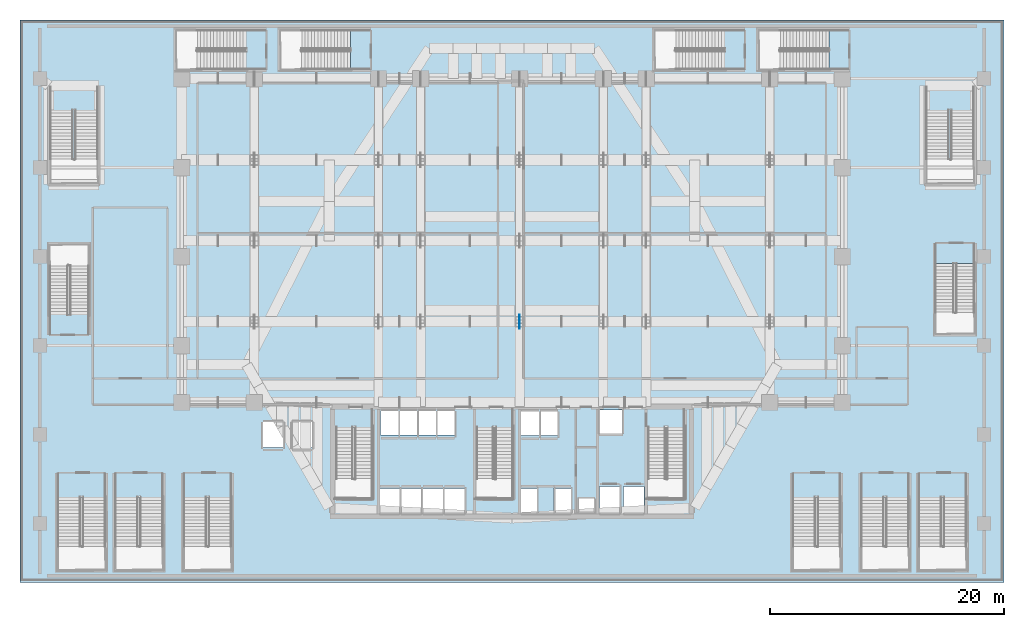
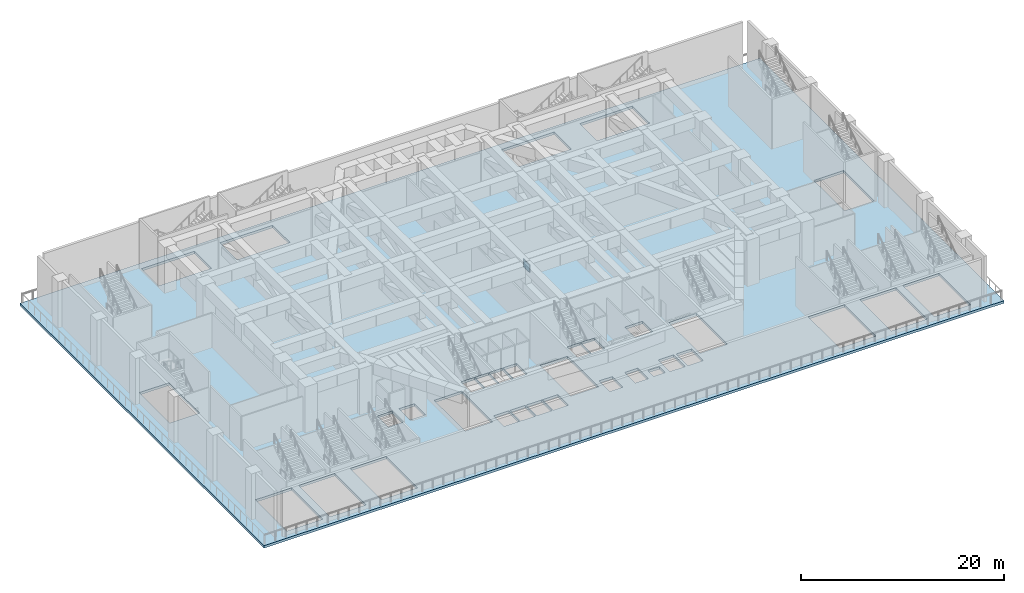
# One storey, part 6 of 27: 1 plate, 1 slab.
"""IFC4 building model written with IfcOpenShell, lengths in metres."""

import ifcopenshell
import ifcopenshell.guid

model = None  # the IFC model being written
_history = None  # IfcOwnerHistory: only IFC2X3 demands one
_inside = {}  # id of a spatial element -> (the spatial element, [elements in it])
_under = {}  # id of a project, library or spatial element -> (it, [spatial elements below it])
_declared = {}  # id of a project -> (the project, [libraries it declares])
_typed = {}  # id of a type object -> (the type object, [elements of that type])
_made_of = {}  # id of a material, layer set ... -> (it, [elements and type objects made of it])


def new_model(schema):
    """Start an empty IFC model of exactly this schema.

    Asked for "IFC4X3", IfcOpenShell would pick the latest addendum, in which some entities
    have other attributes; the version numbers below select the first issue.
    IFC2X3 requires an IfcOwnerHistory on every rooted entity: one is made here for all.
    """
    global model, _history
    if schema == "IFC4X3":
        model = ifcopenshell.file(schema_version=(4, 3, 0, 0))
    else:
        model = ifcopenshell.file(schema=schema)
    _inside.clear()
    _under.clear()
    _declared.clear()
    _typed.clear()
    _made_of.clear()
    _history = None
    if model.schema == "IFC2X3":
        org = make("IfcOrganization", Name="unknown")
        user = make(
            "IfcPersonAndOrganization",
            ThePerson=make("IfcPerson", FamilyName="unknown"),
            TheOrganization=org,
        )
        app = make(
            "IfcApplication",
            ApplicationDeveloper=org,
            Version="unknown",
            ApplicationFullName="unknown",
            ApplicationIdentifier="unknown",
        )
        _history = make(
            "IfcOwnerHistory",
            OwningUser=user,
            OwningApplication=app,
            ChangeAction="ADDED",
            CreationDate=0,
        )
    return model


def make(cls, **values):
    """One entity of the class cls with the attributes given. An attribute that is None is left unset."""
    return model.create_entity(
        cls, **{name: value for name, value in values.items() if value is not None}
    )


def rooted(cls, **values):
    """An entity with a GlobalId (a new one), such as an element, a storey or a relation."""
    return make(cls, GlobalId=ifcopenshell.guid.new(), OwnerHistory=_history, **values)


def si_unit(unit_type, name, prefix=None):
    """IfcSIUnit, for example si_unit("LENGTHUNIT", "METRE", prefix="MILLI")."""
    return make("IfcSIUnit", UnitType=unit_type, Prefix=prefix, Name=name)


def assignment(units):
    """IfcUnitAssignment: the units of a project."""
    return None if units is None else make("IfcUnitAssignment", Units=units)


def point(xyz):
    """IfcCartesianPoint."""
    return None if xyz is None else make("IfcCartesianPoint", Coordinates=xyz)


def direction(xyz):
    """IfcDirection."""
    return None if xyz is None else make("IfcDirection", DirectionRatios=xyz)


def frame(location, z_axis=None, x_axis=None):
    """IfcAxis2Placement3D, a coordinate frame: its origin and axes. An axis left out is left unset."""
    return make(
        "IfcAxis2Placement3D",
        Location=point(location),
        Axis=direction(z_axis),
        RefDirection=direction(x_axis),
    )


def frame_2d(location, x_axis=None):
    """IfcAxis2Placement2D, a coordinate frame in the plane: its origin and x axis."""
    return make(
        "IfcAxis2Placement2D", Location=point(location), RefDirection=direction(x_axis)
    )


def origin():
    """The frame at (0, 0, 0) with its axes left unset."""
    return frame((0.0, 0.0, 0.0))


def origin_2d():
    """The frame at (0, 0) in the plane with its x axis left unset."""
    return frame_2d((0.0, 0.0))


def place(relative_to, where):
    """IfcLocalPlacement: puts the frame where relative to a parent placement (None: the world)."""
    return make(
        "IfcLocalPlacement", PlacementRelTo=relative_to, RelativePlacement=where
    )


def context(
    kind, dimensions, precision=None, world=None, true_north=None, identifier=None
):
    """IfcGeometricRepresentationContext, for example the 3D "Model" context."""
    return make(
        "IfcGeometricRepresentationContext",
        ContextIdentifier=identifier,
        ContextType=kind,
        CoordinateSpaceDimension=dimensions,
        Precision=precision,
        WorldCoordinateSystem=world,
        TrueNorth=true_north,
    )


def subcontext(parent, identifier, kind, view, scale=None):
    """IfcGeometricRepresentationSubContext, for example "Body" below "Model"."""
    return make(
        "IfcGeometricRepresentationSubContext",
        ContextIdentifier=identifier,
        ContextType=kind,
        ParentContext=parent,
        TargetScale=scale,
        TargetView=view,
    )


def project(units=None, contexts=None):
    """IfcProject with its units and contexts."""
    return rooted(
        "IfcProject",
        Name="project",
        RepresentationContexts=contexts,
        UnitsInContext=assignment(units),
    )


def spatial(cls, under=None, at=None, **own):
    """A site, building, storey or space (cls), placed at a placement, below another one or the project."""
    s = rooted(cls, ObjectPlacement=at, **own)
    if under is not None:
        _under.setdefault(under.id(), (under, []))[1].append(s)
    return s


def polyline(points):
    """IfcPolyline through the points."""
    return make("IfcPolyline", Points=[point(p) for p in points])


def profile(cls, at=None, kind="AREA", **sizes):
    """A parametric profile (cls). Its sizes go by their IFC names, for example OverallWidth=200.0."""
    return make(cls, ProfileType=kind, Position=at, **sizes)


def rectangle(**sizes):
    """IfcRectangleProfileDef."""
    return profile("IfcRectangleProfileDef", **sizes)


def outline(outer, holes=None, kind="AREA"):
    """IfcArbitraryClosedProfileDef: a profile drawn as a closed curve; with holes, ...WithVoids."""
    if holes is None:
        return make("IfcArbitraryClosedProfileDef", ProfileType=kind, OuterCurve=outer)
    return make(
        "IfcArbitraryProfileDefWithVoids",
        ProfileType=kind,
        OuterCurve=outer,
        InnerCurves=holes,
    )


def extrude(swept, where, along, depth):
    """IfcExtrudedAreaSolid: the profile swept, set in the frame where, extruded along a direction by depth."""
    return make(
        "IfcExtrudedAreaSolid",
        SweptArea=swept,
        Position=where,
        ExtrudedDirection=direction(along),
        Depth=depth,
    )


def shape(context_of_items, identifier, shape_type, items):
    """IfcShapeRepresentation: the items that make up one representation, for example the "Body"."""
    return make(
        "IfcShapeRepresentation",
        ContextOfItems=context_of_items,
        RepresentationIdentifier=identifier,
        RepresentationType=shape_type,
        Items=items,
    )


def material(Name=None, Category=None):
    """IfcMaterial."""
    return make("IfcMaterial", Name=Name, Category=Category)


def layer(
    of_material, thickness, ventilated=None, Name=None, Category=None, Priority=None
):
    """IfcMaterialLayer: one layer of a wall or slab, of a material (None: an air gap)."""
    return make(
        "IfcMaterialLayer",
        Material=of_material,
        LayerThickness=thickness,
        IsVentilated=ventilated,
        Name=Name,
        Category=Category,
        Priority=Priority,
    )


def layer_set(layers, Name=None):
    """IfcMaterialLayerSet."""
    return make("IfcMaterialLayerSet", MaterialLayers=layers, LayerSetName=Name)


def made_of(thing, what):
    """Note that an element or type object is made of a material, layer set ...; save() writes the relation."""
    if what is not None:
        _made_of.setdefault(what.id(), (what, []))[1].append(thing)
    return thing


def type_object(cls, material=None, **own):
    """A type object (cls), such as IfcWallType, which elements share."""
    return made_of(rooted(cls, **own), material)


def element(
    cls,
    number,
    at=None,
    inside=None,
    cuts=None,
    type_object=None,
    material=None,
    context=None,
    identifier="Body",
    shape_type=None,
    held_by="IfcProductDefinitionShape",
    body=None,
    shapes=None,
    **own,
):
    """One element of the class cls, such as IfcWall. Its Tag is "e" and its number.

    at: its placement. inside: the storey or other place that contains it. cuts: it is an
    opening in that element (IfcRelVoidsElement). A single representation is given by context,
    identifier, shape_type and body (its items); several are given by shapes. held_by: the class
    of the entity that holds the representations. save() writes the other relations.
    """
    e = rooted(cls, Tag="e%d" % number, ObjectPlacement=at, **own)
    if body is not None:
        shapes = [shape(context, identifier, shape_type, body)]
    if shapes is not None:
        e.Representation = make(held_by, Representations=shapes)
    if inside is not None:
        _inside.setdefault(inside.id(), (inside, []))[1].append(e)
    if cuts is not None:
        rooted(
            "IfcRelVoidsElement", RelatingBuildingElement=cuts, RelatedOpeningElement=e
        )
    if type_object is not None:
        _typed.setdefault(type_object.id(), (type_object, []))[1].append(e)
    return made_of(e, material)


def aggregate(whole, parts):
    """IfcRelAggregates: a whole, such as a stair, and the parts it consists of."""
    return rooted("IfcRelAggregates", RelatingObject=whole, RelatedObjects=parts)


def save(model, path):
    """Write the relations noted so far, then the file.

    IfcRelAggregates (storeys below a building ...), IfcRelContainedInSpatialStructure (elements
    in a storey), IfcRelDefinesByType, IfcRelAssociatesMaterial and IfcRelDeclares: one each for
    every whole, place, type object, material and project.
    """
    for whole, parts in _under.values():
        aggregate(whole, parts)
    for where, things in _inside.values():
        rooted(
            "IfcRelContainedInSpatialStructure",
            RelatedElements=things,
            RelatingStructure=where,
        )
    for kind, things in _typed.values():
        rooted("IfcRelDefinesByType", RelatedObjects=things, RelatingType=kind)
    for what, things in _made_of.values():
        rooted("IfcRelAssociatesMaterial", RelatedObjects=things, RelatingMaterial=what)
    for by, libraries in _declared.values():
        rooted("IfcRelDeclares", RelatingContext=by, RelatedDefinitions=libraries)
    model.write(path)


model = new_model("IFC4")

# Units and contexts
model_context = context("Model", 3, precision=1e-05, world=origin(), true_north=direction((0.0, 1.0)))
body_context = subcontext(model_context, "Body", "Model", "MODEL_VIEW")
ifc_project = project(units=[si_unit("LENGTHUNIT", "METRE"), si_unit("AREAUNIT", "SQUARE_METRE"), si_unit("VOLUMEUNIT", "CUBIC_METRE"), si_unit("PLANEANGLEUNIT", "RADIAN"), si_unit("MASSUNIT", "GRAM", prefix="KILO")], contexts=[model_context])

# Site, building, storey
site_placement = place(None, origin())
site = spatial("IfcSite", under=ifc_project, at=site_placement, CompositionType="ELEMENT")
building_placement = place(site_placement, origin())
building = spatial("IfcBuilding", under=site, at=building_placement, Name="Ndaravel Arena Tower", CompositionType="ELEMENT")
storey_placement = place(building_placement, frame((0.0, 0.0, 24.0)))
storey = spatial("IfcBuildingStorey", under=building, at=storey_placement, Name="L04", CompositionType="ELEMENT", Elevation=24.0)

# Plate
ifc_material_1 = material(Name="Steel S460", Category="steel")
ifc_layer_1 = layer(ifc_material_1, 0.054931640625)
ifc_layer_set_1 = layer_set([ifc_layer_1], Name="Steel S460")
plate_type = type_object("IfcPlateType", Name="PLT-GUSSET-TN2", PredefinedType="USERDEFINED", material=ifc_layer_set_1)
plate_placement = place(storey_placement, frame((42.64990234375, 22.25, 4.75), z_axis=(0.0, 0.0, 1.0), x_axis=(1.0, 0.0, 0.0)))
element("IfcPlate", 1, at=plate_placement, inside=storey, type_object=plate_type, Name="Transfer Node Gusset TN-010", ObjectType="GUSSET_PLATE", PredefinedType="USERDEFINED", context=body_context, shape_type="SweptSolid", body=[
    extrude(rectangle(XDim=0.054931640625, YDim=1.199951171875, at=origin_2d()), origin(), (0.0, 0.0, 1.0), 0.89990234375),
])

# Slab
ifc_material_2 = material(Name="Concrete C40/50", Category="concrete")
ifc_layer_2 = layer(ifc_material_2, 0.300048828125)
ifc_layer_set_2 = layer_set([ifc_layer_2], Name="Concrete C40/50")
slab_type = type_object("IfcSlabType", Name="SLAB-POD-300", PredefinedType="FLOOR", material=ifc_layer_set_2)
slab_placement = place(storey_placement, frame((0.0, 0.0, -0.300048828125)))
element("IfcSlab", 2, at=slab_placement, inside=storey, type_object=slab_type, Name="L04 Structural Floor Slab", PredefinedType="FLOOR", context=body_context, shape_type="SweptSolid", body=[
    extrude(outline(polyline([(0.0, 0.0), (84.0, 0.0), (84.0, 48.0), (0.0, 48.0), (0.0, 0.0)]), holes=[polyline([(26.949951171875, 13.215087890625), (26.949951171875, 7.14990234375), (30.090087890625, 7.14990234375), (30.090087890625, 13.215087890625), (26.949951171875, 13.215087890625)]), polyline([(38.949951171875, 13.215087890625), (38.949951171875, 7.14990234375), (42.090087890625, 7.14990234375), (42.090087890625, 13.215087890625), (38.949951171875, 13.215087890625)]), polyline([(53.60009765625, 13.215087890625), (53.60009765625, 7.14990234375), (56.739990234375, 7.14990234375), (56.739990234375, 13.215087890625), (53.60009765625, 13.215087890625)]), polyline([(3.199951171875, 7.235107421875), (3.199951171875, 1.050048828125), (7.300048828125, 1.050048828125), (7.300048828125, 7.235107421875), (3.199951171875, 7.235107421875)]), polyline([(8.10009765625, 7.235107421875), (8.10009765625, 1.050048828125), (12.199951171875, 1.050048828125), (12.199951171875, 7.235107421875), (8.10009765625, 7.235107421875)]), polyline([(13.949951171875, 7.235107421875), (13.949951171875, 1.050048828125), (18.050048828125, 1.050048828125), (18.050048828125, 7.235107421875), (13.949951171875, 7.235107421875)]), polyline([(65.949951171875, 7.235107421875), (65.949951171875, 1.050048828125), (70.050048828125, 1.050048828125), (70.050048828125, 7.235107421875), (65.949951171875, 7.235107421875)]), polyline([(71.800048828125, 7.235107421875), (71.800048828125, 1.050048828125), (75.89990234375, 1.050048828125), (75.89990234375, 7.235107421875), (71.800048828125, 7.235107421875)]), polyline([(76.699951171875, 7.235107421875), (76.699951171875, 1.050048828125), (80.800048828125, 1.050048828125), (80.800048828125, 7.235107421875), (76.699951171875, 7.235107421875)]), polyline([(5.8798828125, 22.85498046875), (5.8798828125, 28.85009765625), (2.5, 28.85009765625), (2.5, 22.85498046875), (5.8798828125, 22.85498046875)]), polyline([(19.294921875, 47.139892578125), (13.300048828125, 47.139892578125), (13.300048828125, 43.760009765625), (19.294921875, 43.760009765625), (19.294921875, 47.139892578125)]), polyline([(28.195068359375, 47.139892578125), (22.199951171875, 47.139892578125), (22.199951171875, 43.760009765625), (28.195068359375, 43.760009765625), (28.195068359375, 47.139892578125)]), polyline([(60.14501953125, 47.139892578125), (54.14990234375, 47.139892578125), (54.14990234375, 43.760009765625), (60.14501953125, 43.760009765625), (60.14501953125, 47.139892578125)]), polyline([(69.044921875, 47.139892578125), (63.050048828125, 47.139892578125), (63.050048828125, 43.760009765625), (69.044921875, 43.760009765625), (69.044921875, 47.139892578125)]), polyline([(78.1201171875, 27.195068359375), (78.1201171875, 21.199951171875), (81.5, 21.199951171875), (81.5, 27.195068359375), (78.1201171875, 27.195068359375)]), polyline([(30.68505859375, 5.909912109375), (32.4150390625, 5.909912109375), (32.4150390625, 7.989990234375), (30.68505859375, 7.989990234375), (30.68505859375, 5.909912109375)]), polyline([(32.534912109375, 5.909912109375), (34.264892578125, 5.909912109375), (34.264892578125, 7.989990234375), (32.534912109375, 7.989990234375), (32.534912109375, 5.909912109375)]), polyline([(34.385009765625, 5.909912109375), (36.114990234375, 5.909912109375), (36.114990234375, 7.989990234375), (34.385009765625, 7.989990234375), (34.385009765625, 5.909912109375)]), polyline([(36.235107421875, 5.909912109375), (37.965087890625, 5.909912109375), (37.965087890625, 7.989990234375), (36.235107421875, 7.989990234375), (36.235107421875, 5.909912109375)]), polyline([(30.784912109375, 12.56005859375), (32.31494140625, 12.56005859375), (32.31494140625, 14.639892578125), (30.784912109375, 14.639892578125), (30.784912109375, 12.56005859375)]), polyline([(32.385009765625, 12.56005859375), (33.9150390625, 12.56005859375), (33.9150390625, 14.639892578125), (32.385009765625, 14.639892578125), (32.385009765625, 12.56005859375)]), polyline([(33.985107421875, 12.56005859375), (35.514892578125, 12.56005859375), (35.514892578125, 14.639892578125), (33.985107421875, 14.639892578125), (33.985107421875, 12.56005859375)]), polyline([(35.5849609375, 12.56005859375), (37.114990234375, 12.56005859375), (37.114990234375, 14.639892578125), (35.5849609375, 14.639892578125), (35.5849609375, 12.56005859375)]), polyline([(42.659912109375, 5.909912109375), (44.139892578125, 5.909912109375), (44.139892578125, 7.989990234375), (42.659912109375, 7.989990234375), (42.659912109375, 5.909912109375)]), polyline([(45.56005859375, 5.909912109375), (47.0400390625, 5.909912109375), (47.0400390625, 7.989990234375), (45.56005859375, 7.989990234375), (45.56005859375, 5.909912109375)]), polyline([(42.784912109375, 12.510009765625), (44.31494140625, 12.510009765625), (44.31494140625, 14.590087890625), (42.784912109375, 14.590087890625), (42.784912109375, 12.510009765625)]), polyline([(44.385009765625, 12.510009765625), (45.9150390625, 12.510009765625), (45.9150390625, 14.590087890625), (44.385009765625, 14.590087890625), (44.385009765625, 12.510009765625)]), polyline([(49.485107421875, 5.909912109375), (51.215087890625, 5.909912109375), (51.215087890625, 8.18994140625), (49.485107421875, 8.18994140625), (49.485107421875, 5.909912109375)]), polyline([(51.534912109375, 5.909912109375), (53.264892578125, 5.909912109375), (53.264892578125, 8.18994140625), (51.534912109375, 8.18994140625), (51.534912109375, 5.909912109375)]), polyline([(49.4599609375, 12.68505859375), (51.43994140625, 12.68505859375), (51.43994140625, 14.715087890625), (49.4599609375, 14.715087890625), (49.4599609375, 12.68505859375)]), polyline([(20.735107421875, 11.510009765625), (22.465087890625, 11.510009765625), (22.465087890625, 13.68994140625), (20.735107421875, 13.68994140625), (20.735107421875, 11.510009765625)]), polyline([(23.235107421875, 11.510009765625), (24.965087890625, 11.510009765625), (24.965087890625, 13.68994140625), (23.235107421875, 13.68994140625), (23.235107421875, 11.510009765625)]), polyline([(47.699951171875, 6.0), (49.0, 6.0), (49.0, 7.139892578125), (47.699951171875, 7.139892578125), (47.699951171875, 6.0)])]), origin(), (0.0, 0.0, 1.0), 0.300048828125),
])

save(model, "model.ifc")
